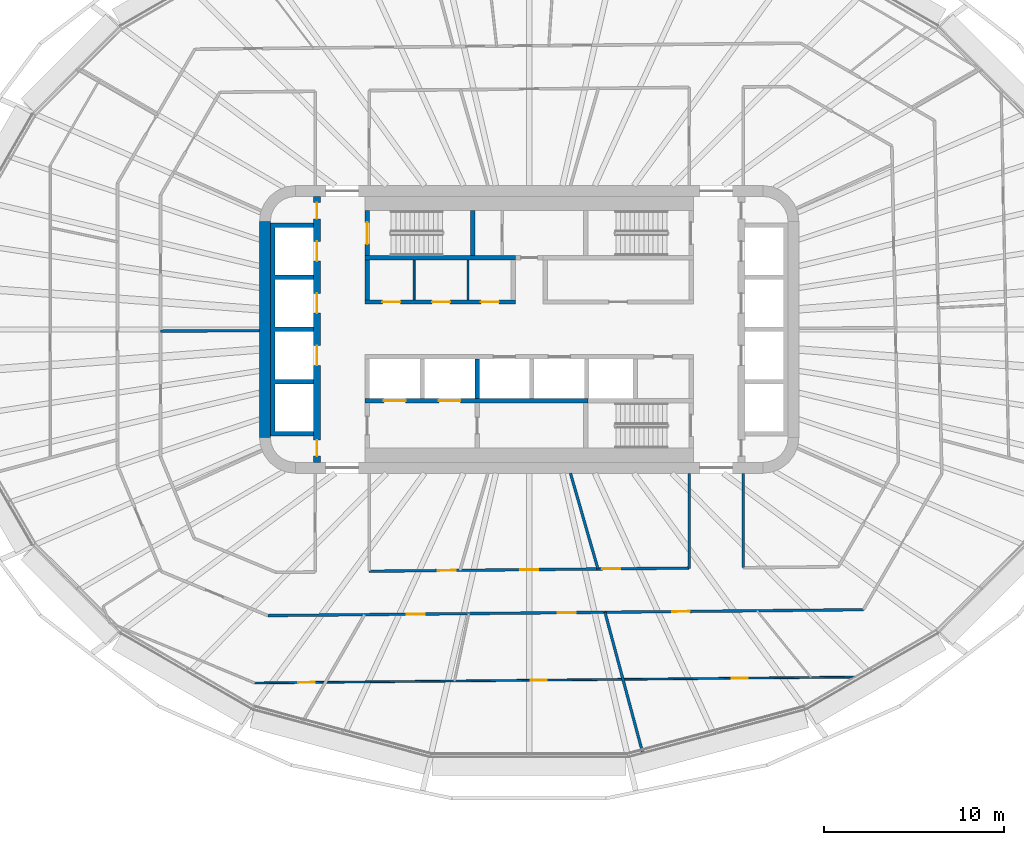
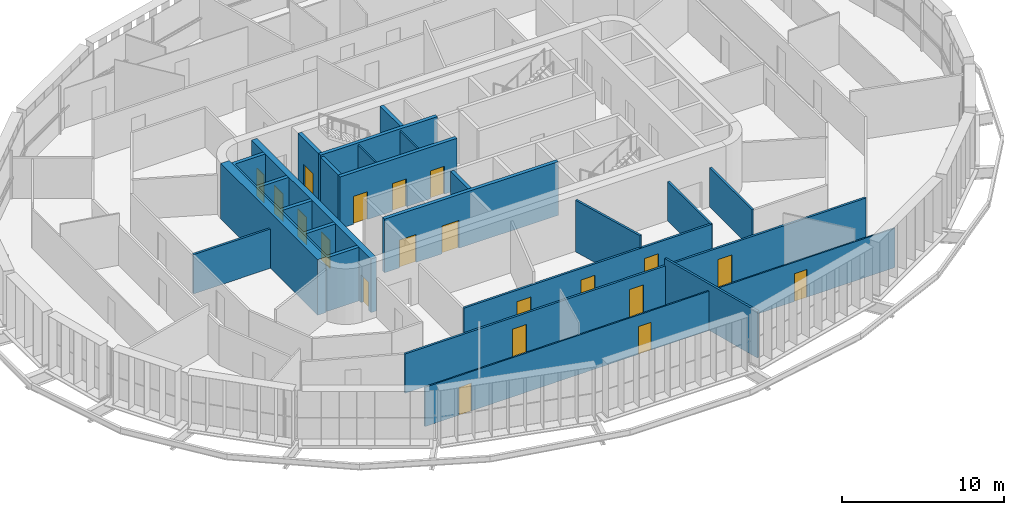
# One storey, part 15 of 26: 20 doors, 20 walls, 20 openings.
"""IFC4 building model written with IfcOpenShell, lengths in metres."""

from ifc_helpers import new_model, si_unit, direction, frame, frame_2d, origin, place, context, subcontext, project, spatial, polyline, rectangle, outline, extrude, material, layer, layer_set, type_object, element, fill, save


model = new_model("IFC4")

# Units and contexts
model_context = context("Model", 3, precision=1e-05, world=origin(), true_north=direction((0.0, 1.0)))
body_context = subcontext(model_context, "Body", "Model", "MODEL_VIEW")
ifc_project = project(units=[si_unit("LENGTHUNIT", "METRE"), si_unit("AREAUNIT", "SQUARE_METRE"), si_unit("VOLUMEUNIT", "CUBIC_METRE"), si_unit("PLANEANGLEUNIT", "RADIAN"), si_unit("MASSUNIT", "GRAM", prefix="KILO")], contexts=[model_context])

# Site, building, storey
site_placement = place(None, origin())
site = spatial("IfcSite", under=ifc_project, at=site_placement, CompositionType="ELEMENT")
building_placement = place(site_placement, origin())
building = spatial("IfcBuilding", under=site, at=building_placement, Name="Sahrelin Media Tower", CompositionType="ELEMENT")
storey_placement = place(building_placement, frame((0.0, 0.0, 88.199951171875)))
storey = spatial("IfcBuildingStorey", under=building, at=storey_placement, Name="L16", CompositionType="ELEMENT", Elevation=88.199951171875)

# Wall
ifc_material_1 = material(Name="Concrete C60/75", Category="concrete")
ifc_layer_1 = layer(ifc_material_1, 0.60009765625)
ifc_layer_set_1 = layer_set([ifc_layer_1], Name="Core wall 600")
wall_type_1 = type_object("IfcWallType", Name="Core wall 600", PredefinedType="SHEAR", material=ifc_layer_set_1)
wall_1_placement = place(storey_placement, frame((-14.699951171875, -6.0, 0.0), z_axis=(0.0, 0.0, 1.0), x_axis=(0.0, 1.0, 0.0)))
element("IfcWall", 1, at=wall_1_placement, inside=storey, type_object=wall_type_1, Name="Core wall W L16", PredefinedType="SHEAR", context=body_context, shape_type="SweptSolid", body=[
    extrude(rectangle(XDim=12.0, YDim=0.60009765625, at=frame_2d((6.0, 0.0))), origin(), (0.0, 0.0, 1.0), 4.199951171875),
])

# Wall, openings, doors
ifc_material_2 = material(Name="Fire-rated gypsum board partition")
ifc_layer_2 = layer(ifc_material_2, 0.25)
ifc_layer_set_2 = layer_set([ifc_layer_2], Name="Fire-rated lobby wall 250")
wall_type_2 = type_object("IfcWallType", Name="Fire-rated lobby wall 250", PredefinedType="PARTITIONING", material=ifc_layer_set_2)
wall_2_placement = place(storey_placement, frame((-9.125, 1.52490234375, 0.0), z_axis=(0.0, 0.0, 1.0), x_axis=(1.0, 0.0, 0.0)))
wall_2 = element("IfcWall", 2, at=wall_2_placement, inside=storey, type_object=wall_type_2, Name="Core lobby wall", PredefinedType="PARTITIONING", context=body_context, shape_type="SweptSolid", body=[
    extrude(rectangle(XDim=8.35009765625, YDim=0.25, at=frame_2d((4.175048828125, 0.0))), origin(), (0.0, 0.0, 1.0), 3.900146484375),
])
opening_1_placement = place(wall_2_placement, frame((0.96240234375, 0.0, 0.0)))
opening_1 = element("IfcOpeningElement", 3, at=opening_1_placement, cuts=wall_2, Name="Opening L16-D08", PredefinedType="OPENING", context=body_context, shape_type="SweptSolid", body=[
    extrude(rectangle(XDim=1.0, YDim=2.10009765625, at=frame_2d((0.5, 1.050048828125))), frame((0.0, 0.125, 0.0), z_axis=(0.0, -1.0, 0.0), x_axis=(1.0, 0.0, 0.0)), (0.0, 0.0, 1.0), 0.25),
])
opening_2_placement = place(wall_2_placement, frame((3.72509765625, 0.0, 0.0)))
opening_2 = element("IfcOpeningElement", 4, at=opening_2_placement, cuts=wall_2, Name="Opening L16-D09", PredefinedType="OPENING", context=body_context, shape_type="SweptSolid", body=[
    extrude(rectangle(XDim=1.0, YDim=2.10009765625, at=frame_2d((0.5, 1.050048828125))), frame((0.0, 0.125, 0.0), z_axis=(0.0, -1.0, 0.0), x_axis=(1.0, 0.0, 0.0)), (0.0, 0.0, 1.0), 0.25),
])
opening_3_placement = place(wall_2_placement, frame((6.4375, 0.0, 0.0)))
opening_3 = element("IfcOpeningElement", 5, at=opening_3_placement, cuts=wall_2, Name="Opening L16-D10", PredefinedType="OPENING", context=body_context, shape_type="SweptSolid", body=[
    extrude(rectangle(XDim=1.0, YDim=2.10009765625, at=frame_2d((0.5, 1.050048828125))), frame((0.0, 0.125, 0.0), z_axis=(0.0, -1.0, 0.0), x_axis=(1.0, 0.0, 0.0)), (0.0, 0.0, 1.0), 0.25),
])
ifc_material_3 = material(Name="Steel fire door leaf", Category="steel")
door_type_1 = type_object("IfcDoorType", Name="Fire door 1000 x 2100 EI 60", OperationType="NOTDEFINED", PredefinedType="DOOR", material=ifc_material_3)
door_1_placement = place(opening_1_placement, origin())
door_1 = element("IfcDoor", 6, at=door_1_placement, inside=storey, type_object=door_type_1, Name="Core room door", OperationType="SINGLE_SWING_LEFT", OverallHeight=2.10009765625, OverallWidth=1.0, PredefinedType="DOOR", context=body_context, shape_type="SweptSolid", body=[
    extrude(rectangle(XDim=1.0, YDim=2.10009765625, at=frame_2d((0.5, 1.050048828125))), frame((0.0, 0.02490234375, 0.0), z_axis=(0.0, -1.0, 0.0), x_axis=(1.0, 0.0, 0.0)), (0.0, 0.0, 1.0), 0.050048828125),
])
fill(opening_1, door_1)
door_2_placement = place(opening_2_placement, origin())
door_2 = element("IfcDoor", 7, at=door_2_placement, inside=storey, type_object=door_type_1, Name="Core room door", OperationType="SINGLE_SWING_LEFT", OverallHeight=2.10009765625, OverallWidth=1.0, PredefinedType="DOOR", context=body_context, shape_type="SweptSolid", body=[
    extrude(rectangle(XDim=1.0, YDim=2.10009765625, at=frame_2d((0.5, 1.050048828125))), frame((0.0, 0.02490234375, 0.0), z_axis=(0.0, -1.0, 0.0), x_axis=(1.0, 0.0, 0.0)), (0.0, 0.0, 1.0), 0.050048828125),
])
fill(opening_2, door_2)
door_3_placement = place(opening_3_placement, origin())
door_3 = element("IfcDoor", 8, at=door_3_placement, inside=storey, type_object=door_type_1, Name="Core room door", OperationType="SINGLE_SWING_LEFT", OverallHeight=2.10009765625, OverallWidth=1.0, PredefinedType="DOOR", context=body_context, shape_type="SweptSolid", body=[
    extrude(rectangle(XDim=1.0, YDim=2.10009765625, at=frame_2d((0.5, 1.050048828125))), frame((0.0, 0.02490234375, 0.0), z_axis=(0.0, -1.0, 0.0), x_axis=(1.0, 0.0, 0.0)), (0.0, 0.0, 1.0), 0.050048828125),
])
fill(opening_3, door_3)

# Walls
wall_3_placement = place(storey_placement, frame((-9.0, 1.64990234375, 0.0), z_axis=(0.0, 0.0, 1.0), x_axis=(0.0, 1.0, 0.0)))
element("IfcWall", 9, at=wall_3_placement, inside=storey, type_object=wall_type_2, Name="Core lobby wall", PredefinedType="PARTITIONING", context=body_context, shape_type="SweptSolid", body=[
    extrude(rectangle(XDim=2.2001953125, YDim=0.25, at=frame_2d((1.10009765625, 0.0))), origin(), (0.0, 0.0, 1.0), 3.900146484375),
])
ifc_layer_3 = layer(ifc_material_2, 0.10009765625)
ifc_layer_set_3 = layer_set([ifc_layer_3], Name="Fire-rated partition 100")
wall_type_3 = type_object("IfcWallType", Name="Fire-rated partition 100", PredefinedType="PARTITIONING", material=ifc_layer_set_3)
for number, where, z_axis, x_axis, name in (
    (10, (-6.39990234375, 1.64990234375, 0.0), (0.0, 0.0, 1.0), (0.0, 1.0, 0.0), "Core room partition"),
    (11, (-3.39990234375, 1.64990234375, 0.0), (0.0, 0.0, 1.0), (0.0, 1.0, 0.0), "Core room partition"),
):
    element("IfcWall", number, at=place(storey_placement, frame(where, z_axis=z_axis, x_axis=x_axis)), inside=storey, type_object=wall_type_3, Name=name, PredefinedType="PARTITIONING", context=body_context, shape_type="SweptSolid", body=[
        extrude(rectangle(XDim=2.2001953125, YDim=0.10009765625, at=frame_2d((1.10009765625, 0.0))), origin(), (0.0, 0.0, 1.0), 3.900146484375),
    ])
ifc_layer_4 = layer(ifc_material_2, 0.14990234375)
ifc_layer_set_4 = layer_set([ifc_layer_4], Name="Fire-rated partition 150")
wall_type_4 = type_object("IfcWallType", Name="Fire-rated partition 150", PredefinedType="PARTITIONING", material=ifc_layer_set_4)
wall_4_placement = place(storey_placement, frame((4.215087890625, -15.72998046875, 0.0), z_axis=(0.0, 0.0, 1.0), x_axis=(0.258844392232, -0.96591903419, 0.0)))
element("IfcWall", 12, at=wall_4_placement, inside=storey, type_object=wall_type_4, Name="Wall", PredefinedType="PARTITIONING", context=body_context, shape_type="SweptSolid", body=[
    extrude(rectangle(XDim=8.1123046875, YDim=0.14990234375, at=frame_2d((4.05615234375, 0.0))), origin(), (0.0, 0.0, 1.0), 3.501708984375),
])
wall_5_placement = place(storey_placement, frame((2.2958984375, -8.0, 0.0), z_axis=(0.0, 0.0, 1.0), x_axis=(0.275935525478, -0.961176147113, 0.0)))
element("IfcWall", 13, at=wall_5_placement, inside=storey, type_object=wall_type_4, Name="Wall", PredefinedType="PARTITIONING", context=body_context, shape_type="SweptSolid", body=[
    extrude(rectangle(XDim=5.54833984375, YDim=0.14990234375, at=frame_2d((2.774169921875, 0.0))), origin(), (0.0, 0.0, 1.0), 3.900146484375),
])
wall_6_placement = place(storey_placement, frame((-20.5, -0.093994140625, 0.0), z_axis=(0.0, 0.0, 1.0), x_axis=(0.999990148138, 0.004438876723, 0.0)))
element("IfcWall", 14, at=wall_6_placement, inside=storey, type_object=wall_type_4, Name="Wall", PredefinedType="PARTITIONING", context=body_context, shape_type="SweptSolid", body=[
    extrude(rectangle(XDim=5.5, YDim=0.14990234375, at=frame_2d((2.75, 0.0))), origin(), (0.0, 0.0, 1.0), 2.96826171875),
])

# Wall, openings, doors
wall_7_placement = place(storey_placement, frame((-14.533935546875, -15.91552734375, 0.0), z_axis=(0.0, 0.0, 1.0), x_axis=(0.999950930262, 0.009906415532, 0.0)))
wall_7 = element("IfcWall", 15, at=wall_7_placement, inside=storey, type_object=wall_type_4, Name="Wall", PredefinedType="PARTITIONING", context=body_context, shape_type="SweptSolid", body=[
    extrude(rectangle(XDim=33.12255859375, YDim=0.14990234375, at=frame_2d((16.561279296875, 0.0))), origin(), (0.0, 0.0, 1.0), 2.96826171875),
])
opening_4_placement = place(wall_7_placement, frame((22.477294921875, 0.0, 0.0)))
opening_4 = element("IfcOpeningElement", 16, at=opening_4_placement, cuts=wall_7, Name="Opening L16-D35", PredefinedType="OPENING", context=body_context, shape_type="SweptSolid", body=[
    extrude(rectangle(XDim=1.0, YDim=2.10009765625, at=frame_2d((0.5, 1.050048828125))), frame((0.0, 0.074951171875, 0.0), z_axis=(0.0, -1.0, 0.0), x_axis=(1.0, 0.0, 0.0)), (0.0, 0.0, 1.0), 0.14990234375),
])
opening_5_placement = place(wall_7_placement, frame((7.722900390625, 0.0, 0.0)))
opening_5 = element("IfcOpeningElement", 17, at=opening_5_placement, cuts=wall_7, Name="Opening L16-D56", PredefinedType="OPENING", context=body_context, shape_type="SweptSolid", body=[
    extrude(rectangle(XDim=1.0, YDim=2.10009765625, at=frame_2d((0.5, 1.050048828125))), frame((0.0, 0.074951171875, 0.0), z_axis=(0.0, -1.0, 0.0), x_axis=(1.0, 0.0, 0.0)), (0.0, 0.0, 1.0), 0.14990234375),
])
opening_6_placement = place(wall_7_placement, frame((16.111083984375, 0.0, 0.0)))
opening_6 = element("IfcOpeningElement", 18, at=opening_6_placement, cuts=wall_7, Name="Opening L16-D57", PredefinedType="OPENING", context=body_context, shape_type="SweptSolid", body=[
    extrude(rectangle(XDim=1.0, YDim=2.10009765625, at=frame_2d((0.5, 1.050048828125))), frame((0.0, 0.074951171875, 0.0), z_axis=(0.0, -1.0, 0.0), x_axis=(1.0, 0.0, 0.0)), (0.0, 0.0, 1.0), 0.14990234375),
])
door_4_placement = place(opening_4_placement, origin())
door_4 = element("IfcDoor", 19, at=door_4_placement, inside=storey, type_object=door_type_1, Name="Fire door", OperationType="SINGLE_SWING_RIGHT", OverallHeight=2.10009765625, OverallWidth=1.0, PredefinedType="DOOR", context=body_context, shape_type="SweptSolid", body=[
    extrude(rectangle(XDim=1.0, YDim=2.10009765625, at=frame_2d((0.5, 1.050048828125))), frame((0.0, 0.02490234375, 0.0), z_axis=(0.0, -1.0, 0.0), x_axis=(1.0, 0.0, 0.0)), (0.0, 0.0, 1.0), 0.050048828125),
])
fill(opening_4, door_4)
door_5_placement = place(opening_5_placement, origin())
door_5 = element("IfcDoor", 20, at=door_5_placement, inside=storey, type_object=door_type_1, Name="Fire door", OperationType="SINGLE_SWING_LEFT", OverallHeight=2.10009765625, OverallWidth=1.0, PredefinedType="DOOR", context=body_context, shape_type="SweptSolid", body=[
    extrude(rectangle(XDim=1.0, YDim=2.10009765625, at=frame_2d((0.5, 1.050048828125))), frame((0.0, 0.02490234375, 0.0), z_axis=(0.0, -1.0, 0.0), x_axis=(1.0, 0.0, 0.0)), (0.0, 0.0, 1.0), 0.050048828125),
])
fill(opening_5, door_5)
door_6_placement = place(opening_6_placement, origin())
door_6 = element("IfcDoor", 21, at=door_6_placement, inside=storey, type_object=door_type_1, Name="Fire door", OperationType="SINGLE_SWING_RIGHT", OverallHeight=2.10009765625, OverallWidth=1.0, PredefinedType="DOOR", context=body_context, shape_type="SweptSolid", body=[
    extrude(rectangle(XDim=1.0, YDim=2.10009765625, at=frame_2d((0.5, 1.050048828125))), frame((0.0, 0.02490234375, 0.0), z_axis=(0.0, -1.0, 0.0), x_axis=(1.0, 0.0, 0.0)), (0.0, 0.0, 1.0), 0.050048828125),
])
fill(opening_6, door_6)

wall_8_placement = place(storey_placement, frame((-8.89990234375, -13.448974609375, 0.0), z_axis=(0.0, 0.0, 1.0), x_axis=(0.999950834077, 0.009916119672, 0.0)))
wall_8 = element("IfcWall", 22, at=wall_8_placement, inside=storey, type_object=wall_type_4, Name="Wall", PredefinedType="PARTITIONING", context=body_context, shape_type="SweptSolid", body=[
    extrude(rectangle(XDim=17.80078125, YDim=0.14990234375, at=frame_2d((8.900390625, 0.0))), origin(), (0.0, 0.0, 1.0), 2.96826171875),
])
opening_7_placement = place(wall_8_placement, frame((3.81787109375, 0.0, 0.0)))
opening_7 = element("IfcOpeningElement", 23, at=opening_7_placement, cuts=wall_8, Name="Opening L16-D21", PredefinedType="OPENING", context=body_context, shape_type="SweptSolid", body=[
    extrude(rectangle(XDim=1.0, YDim=2.10009765625, at=frame_2d((0.5, 1.050048828125))), frame((0.0, 0.074951171875, 0.0), z_axis=(0.0, -1.0, 0.0), x_axis=(1.0, 0.0, 0.0)), (0.0, 0.0, 1.0), 0.14990234375),
])
opening_8_placement = place(wall_8_placement, frame((8.390869140625, 0.0, 0.0)))
opening_8 = element("IfcOpeningElement", 24, at=opening_8_placement, cuts=wall_8, Name="Opening L16-D22", PredefinedType="OPENING", context=body_context, shape_type="SweptSolid", body=[
    extrude(rectangle(XDim=1.0, YDim=2.10009765625, at=frame_2d((0.5, 1.050048828125))), frame((0.0, 0.074951171875, 0.0), z_axis=(0.0, -1.0, 0.0), x_axis=(1.0, 0.0, 0.0)), (0.0, 0.0, 1.0), 0.14990234375),
])
opening_9_placement = place(wall_8_placement, frame((12.974609375, 0.0, 0.0)))
opening_9 = element("IfcOpeningElement", 25, at=opening_9_placement, cuts=wall_8, Name="Opening L16-D23", PredefinedType="OPENING", context=body_context, shape_type="SweptSolid", body=[
    extrude(rectangle(XDim=1.0, YDim=2.10009765625, at=frame_2d((0.5, 1.050048828125))), frame((0.0, 0.074951171875, 0.0), z_axis=(0.0, -1.0, 0.0), x_axis=(1.0, 0.0, 0.0)), (0.0, 0.0, 1.0), 0.14990234375),
])
door_7_placement = place(opening_7_placement, origin())
door_7 = element("IfcDoor", 26, at=door_7_placement, inside=storey, type_object=door_type_1, Name="Fire door", OperationType="SINGLE_SWING_LEFT", OverallHeight=2.10009765625, OverallWidth=1.0, PredefinedType="DOOR", context=body_context, shape_type="SweptSolid", body=[
    extrude(rectangle(XDim=1.0, YDim=2.10009765625, at=frame_2d((0.5, 1.050048828125))), frame((0.0, 0.02490234375, 0.0), z_axis=(0.0, -1.0, 0.0), x_axis=(1.0, 0.0, 0.0)), (0.0, 0.0, 1.0), 0.050048828125),
])
fill(opening_7, door_7)
door_8_placement = place(opening_8_placement, origin())
door_8 = element("IfcDoor", 27, at=door_8_placement, inside=storey, type_object=door_type_1, Name="Fire door", OperationType="SINGLE_SWING_RIGHT", OverallHeight=2.10009765625, OverallWidth=1.0, PredefinedType="DOOR", context=body_context, shape_type="SweptSolid", body=[
    extrude(rectangle(XDim=1.0, YDim=2.10009765625, at=frame_2d((0.5, 1.050048828125))), frame((0.0, 0.02490234375, 0.0), z_axis=(0.0, -1.0, 0.0), x_axis=(1.0, 0.0, 0.0)), (0.0, 0.0, 1.0), 0.050048828125),
])
fill(opening_8, door_8)
door_9_placement = place(opening_9_placement, origin())
door_9 = element("IfcDoor", 28, at=door_9_placement, inside=storey, type_object=door_type_1, Name="Fire door", OperationType="SINGLE_SWING_LEFT", OverallHeight=2.10009765625, OverallWidth=1.0, PredefinedType="DOOR", context=body_context, shape_type="SweptSolid", body=[
    extrude(rectangle(XDim=1.0, YDim=2.10009765625, at=frame_2d((0.5, 1.050048828125))), frame((0.0, 0.02490234375, 0.0), z_axis=(0.0, -1.0, 0.0), x_axis=(1.0, 0.0, 0.0)), (0.0, 0.0, 1.0), 0.050048828125),
])
fill(opening_9, door_9)

# Walls
wall_9_placement = place(storey_placement, frame((11.89990234375, -13.2529296875, 0.0), z_axis=(0.0, 0.0, 1.0), x_axis=(0.0, 1.0, 0.0)))
element("IfcWall", 29, at=wall_9_placement, inside=storey, type_object=wall_type_4, Name="Wall", PredefinedType="PARTITIONING", context=body_context, shape_type="SweptSolid", body=[
    extrude(rectangle(XDim=5.2529296875, YDim=0.14990234375, at=frame_2d((2.62646484375, 0.0))), origin(), (0.0, 0.0, 1.0), 2.96826171875),
])
wall_10_placement = place(storey_placement, frame((8.89990234375, -13.282958984375, 0.0), z_axis=(0.0, 0.0, 1.0), x_axis=(0.0, 1.0, 0.0)))
element("IfcWall", 30, at=wall_10_placement, inside=storey, type_object=wall_type_4, Name="Wall", PredefinedType="PARTITIONING", context=body_context, shape_type="SweptSolid", body=[
    extrude(rectangle(XDim=5.282958984375, YDim=0.14990234375, at=frame_2d((2.6416015625, 0.0))), origin(), (0.0, 0.0, 1.0), 2.96826171875),
])

# Wall, openings, doors
ifc_layer_5 = layer(ifc_material_1, 0.25)
ifc_layer_set_5 = layer_set([ifc_layer_5], Name="Lift shaft wall 250")
wall_type_5 = type_object("IfcWallType", Name="Lift shaft wall 250", PredefinedType="SOLIDWALL", material=ifc_layer_set_5)
wall_11_placement = place(storey_placement, frame((-9.125, -3.97509765625, 0.0), z_axis=(0.0, 0.0, 1.0), x_axis=(1.0, 0.0, 0.0)))
wall_11 = element("IfcWall", 31, at=wall_11_placement, inside=storey, type_object=wall_type_5, Name="Lift shaft wall", PredefinedType="SOLIDWALL", context=body_context, shape_type="SweptSolid", body=[
    extrude(rectangle(XDim=12.39990234375, YDim=0.25, at=frame_2d((6.199951171875, 0.0))), origin(), (0.0, 0.0, 1.0), 4.050048828125),
])
opening_10_placement = place(wall_11_placement, frame((1.050048828125, 0.0, 0.0)))
opening_10 = element("IfcOpeningElement", 32, at=opening_10_placement, cuts=wall_11, Name="Opening L16-LD-FF1", PredefinedType="OPENING", context=body_context, shape_type="SweptSolid", body=[
    extrude(rectangle(XDim=1.199951171875, YDim=2.10009765625, at=frame_2d((0.60009765625, 1.050048828125))), frame((0.0, 0.125, 0.0), z_axis=(0.0, -1.0, 0.0), x_axis=(1.0, 0.0, 0.0)), (0.0, 0.0, 1.0), 0.25),
])
opening_11_placement = place(wall_11_placement, frame((4.10009765625, 0.0, 0.0)))
opening_11 = element("IfcOpeningElement", 33, at=opening_11_placement, cuts=wall_11, Name="Opening L16-LD-FF2", PredefinedType="OPENING", context=body_context, shape_type="SweptSolid", body=[
    extrude(rectangle(XDim=1.199951171875, YDim=2.10009765625, at=frame_2d((0.60009765625, 1.050048828125))), frame((0.0, 0.125, 0.0), z_axis=(0.0, -1.0, 0.0), x_axis=(1.0, 0.0, 0.0)), (0.0, 0.0, 1.0), 0.25),
])
ifc_material_4 = material(Name="Stainless steel", Category="steel")
door_type_2 = type_object("IfcDoorType", Name="Lift landing door 1200 x 2100 EI 120", OperationType="DOUBLE_DOOR_SLIDING", PredefinedType="DOOR", material=ifc_material_4)
door_10_placement = place(opening_10_placement, origin())
door_10 = element("IfcDoor", 34, at=door_10_placement, inside=storey, type_object=door_type_2, Name="Lift landing door FF1", OperationType="DOUBLE_DOOR_SLIDING", OverallHeight=2.10009765625, OverallWidth=1.199951171875, PredefinedType="DOOR", context=body_context, shape_type="SweptSolid", body=[
    extrude(rectangle(XDim=1.199951171875, YDim=2.10009765625, at=frame_2d((0.60009765625, 1.050048828125))), frame((0.0, 0.02490234375, 0.0), z_axis=(0.0, -1.0, 0.0), x_axis=(1.0, 0.0, 0.0)), (0.0, 0.0, 1.0), 0.050048828125),
])
fill(opening_10, door_10)
door_11_placement = place(opening_11_placement, origin())
door_11 = element("IfcDoor", 35, at=door_11_placement, inside=storey, type_object=door_type_2, Name="Lift landing door FF2", OperationType="DOUBLE_DOOR_SLIDING", OverallHeight=2.10009765625, OverallWidth=1.199951171875, PredefinedType="DOOR", context=body_context, shape_type="SweptSolid", body=[
    extrude(rectangle(XDim=1.199951171875, YDim=2.10009765625, at=frame_2d((0.60009765625, 1.050048828125))), frame((0.0, 0.02490234375, 0.0), z_axis=(0.0, -1.0, 0.0), x_axis=(1.0, 0.0, 0.0)), (0.0, 0.0, 1.0), 0.050048828125),
])
fill(opening_11, door_11)

# Walls
wall_12_placement = place(storey_placement, frame((-2.89990234375, -3.85009765625, 0.0), z_axis=(0.0, 0.0, 1.0), x_axis=(0.0, 1.0, 0.0)))
element("IfcWall", 36, at=wall_12_placement, inside=storey, type_object=wall_type_5, Name="Lift shaft wall", PredefinedType="SOLIDWALL", context=body_context, shape_type="SweptSolid", body=[
    extrude(rectangle(XDim=2.2001953125, YDim=0.25, at=frame_2d((1.10009765625, 0.0))), origin(), (0.0, 0.0, 1.0), 4.050048828125),
])
wall_13_placement = place(storey_placement, origin())
element("IfcWall", 37, at=wall_13_placement, inside=storey, type_object=wall_type_5, Name="Lift shaft wall", PredefinedType="SOLIDWALL", context=body_context, shape_type="SweptSolid", body=[
    extrude(outline(polyline([(-12.0, -5.925048828125), (-12.0, -5.675048828125), (-14.14990234375, -5.675048828125), (-14.14990234375, -3.02490234375), (-12.0, -3.02490234375), (-12.0, -2.77490234375), (-14.14990234375, -2.77490234375), (-14.14990234375, -0.125), (-12.0, -0.125), (-12.0, 0.125), (-14.14990234375, 0.125), (-14.14990234375, 2.77490234375), (-12.0, 2.77490234375), (-12.0, 3.02490234375), (-14.14990234375, 3.02490234375), (-14.14990234375, 5.675048828125), (-12.0, 5.675048828125), (-12.0, 5.925048828125), (-14.14990234375, 5.925048828125), (-14.39990234375, 5.925048828125), (-14.39990234375, 5.675048828125), (-14.39990234375, 3.02490234375), (-14.39990234375, 2.77490234375), (-14.39990234375, 0.125), (-14.39990234375, -0.125), (-14.39990234375, -2.77490234375), (-14.39990234375, -3.02490234375), (-14.39990234375, -5.675048828125), (-14.39990234375, -5.925048828125), (-14.14990234375, -5.925048828125), (-12.0, -5.925048828125)])), origin(), (0.0, 0.0, 1.0), 4.050048828125),
])

# Wall, openings, doors
ifc_layer_6 = layer(ifc_material_1, 0.39990234375)
ifc_layer_set_6 = layer_set([ifc_layer_6], Name="Lift shaft wall 400")
wall_type_6 = type_object("IfcWallType", Name="Lift shaft wall 400", PredefinedType="SOLIDWALL", material=ifc_layer_set_6)
wall_14_placement = place(storey_placement, frame((-11.800048828125, -7.39990234375, 0.0), z_axis=(0.0, 0.0, 1.0), x_axis=(0.0, 1.0, 0.0)))
wall_14 = element("IfcWall", 38, at=wall_14_placement, inside=storey, type_object=wall_type_6, Name="Lift shaft wall", PredefinedType="SOLIDWALL", context=body_context, shape_type="SweptSolid", body=[
    extrude(rectangle(XDim=14.7998046875, YDim=0.39990234375, at=frame_2d((7.39990234375, 0.0))), origin(), (0.0, 0.0, 1.0), 4.050048828125),
])
opening_12_placement = place(wall_14_placement, frame((11.199951171875, 0.0, 0.0)))
opening_12 = element("IfcOpeningElement", 39, at=opening_12_placement, cuts=wall_14, Name="Opening L16-LD-LR1", PredefinedType="OPENING", context=body_context, shape_type="SweptSolid", body=[
    extrude(rectangle(XDim=1.10009765625, YDim=2.10009765625, at=frame_2d((0.550048828125, 1.050048828125))), frame((0.0, 0.199951171875, 0.0), z_axis=(0.0, -1.0, 0.0), x_axis=(1.0, 0.0, 0.0)), (0.0, 0.0, 1.0), 0.39990234375),
])
opening_13_placement = place(wall_14_placement, frame((8.300048828125, 0.0, 0.0)))
opening_13 = element("IfcOpeningElement", 40, at=opening_13_placement, cuts=wall_14, Name="Opening L16-LD-LR2", PredefinedType="OPENING", context=body_context, shape_type="SweptSolid", body=[
    extrude(rectangle(XDim=1.10009765625, YDim=2.10009765625, at=frame_2d((0.550048828125, 1.050048828125))), frame((0.0, 0.199951171875, 0.0), z_axis=(0.0, -1.0, 0.0), x_axis=(1.0, 0.0, 0.0)), (0.0, 0.0, 1.0), 0.39990234375),
])
opening_14_placement = place(wall_14_placement, frame((5.39990234375, 0.0, 0.0)))
opening_14 = element("IfcOpeningElement", 41, at=opening_14_placement, cuts=wall_14, Name="Opening L16-LD-LR3", PredefinedType="OPENING", context=body_context, shape_type="SweptSolid", body=[
    extrude(rectangle(XDim=1.10009765625, YDim=2.10009765625, at=frame_2d((0.550048828125, 1.050048828125))), frame((0.0, 0.199951171875, 0.0), z_axis=(0.0, -1.0, 0.0), x_axis=(1.0, 0.0, 0.0)), (0.0, 0.0, 1.0), 0.39990234375),
])
opening_15_placement = place(wall_14_placement, frame((13.552490234375, 0.0, 0.0)))
opening_15 = element("IfcOpeningElement", 42, at=opening_15_placement, cuts=wall_14, Name="Opening L16-D13", PredefinedType="OPENING", context=body_context, shape_type="SweptSolid", body=[
    extrude(rectangle(XDim=0.89990234375, YDim=2.10009765625, at=frame_2d((0.449951171875, 1.050048828125))), frame((0.0, 0.199951171875, 0.0), z_axis=(0.0, -1.0, 0.0), x_axis=(1.0, 0.0, 0.0)), (0.0, 0.0, 1.0), 0.39990234375),
])
opening_16_placement = place(wall_14_placement, frame((0.347412109375, 0.0, 0.0)))
opening_16 = element("IfcOpeningElement", 43, at=opening_16_placement, cuts=wall_14, Name="Opening L16-D14", PredefinedType="OPENING", context=body_context, shape_type="SweptSolid", body=[
    extrude(rectangle(XDim=0.89990234375, YDim=2.10009765625, at=frame_2d((0.449951171875, 1.050048828125))), frame((0.0, 0.199951171875, 0.0), z_axis=(0.0, -1.0, 0.0), x_axis=(1.0, 0.0, 0.0)), (0.0, 0.0, 1.0), 0.39990234375),
])
door_type_3 = type_object("IfcDoorType", Name="Lift landing door 1100 x 2100 EI 120", OperationType="DOUBLE_DOOR_SLIDING", PredefinedType="DOOR", material=ifc_material_4)
door_12_placement = place(opening_12_placement, origin())
door_12 = element("IfcDoor", 44, at=door_12_placement, inside=storey, type_object=door_type_3, Name="Lift landing door LR1", OperationType="DOUBLE_DOOR_SLIDING", OverallHeight=2.10009765625, OverallWidth=1.10009765625, PredefinedType="DOOR", context=body_context, shape_type="SweptSolid", body=[
    extrude(rectangle(XDim=1.10009765625, YDim=2.10009765625, at=frame_2d((0.550048828125, 1.050048828125))), frame((0.0, 0.02490234375, 0.0), z_axis=(0.0, -1.0, 0.0), x_axis=(1.0, 0.0, 0.0)), (0.0, 0.0, 1.0), 0.050048828125),
])
fill(opening_12, door_12)
door_13_placement = place(opening_13_placement, origin())
door_13 = element("IfcDoor", 45, at=door_13_placement, inside=storey, type_object=door_type_3, Name="Lift landing door LR2", OperationType="DOUBLE_DOOR_SLIDING", OverallHeight=2.10009765625, OverallWidth=1.10009765625, PredefinedType="DOOR", context=body_context, shape_type="SweptSolid", body=[
    extrude(rectangle(XDim=1.10009765625, YDim=2.10009765625, at=frame_2d((0.550048828125, 1.050048828125))), frame((0.0, 0.02490234375, 0.0), z_axis=(0.0, -1.0, 0.0), x_axis=(1.0, 0.0, 0.0)), (0.0, 0.0, 1.0), 0.050048828125),
])
fill(opening_13, door_13)
door_14_placement = place(opening_14_placement, origin())
door_14 = element("IfcDoor", 46, at=door_14_placement, inside=storey, type_object=door_type_3, Name="Lift landing door LR3", OperationType="DOUBLE_DOOR_SLIDING", OverallHeight=2.10009765625, OverallWidth=1.10009765625, PredefinedType="DOOR", context=body_context, shape_type="SweptSolid", body=[
    extrude(rectangle(XDim=1.10009765625, YDim=2.10009765625, at=frame_2d((0.550048828125, 1.050048828125))), frame((0.0, 0.02490234375, 0.0), z_axis=(0.0, -1.0, 0.0), x_axis=(1.0, 0.0, 0.0)), (0.0, 0.0, 1.0), 0.050048828125),
])
fill(opening_14, door_14)
door_type_4 = type_object("IfcDoorType", Name="Riser door 900 x 2100 EI 120", OperationType="NOTDEFINED", PredefinedType="DOOR", material=ifc_material_3)
door_15_placement = place(opening_15_placement, origin())
door_15 = element("IfcDoor", 47, at=door_15_placement, inside=storey, type_object=door_type_4, Name="Riser door", OperationType="SINGLE_SWING_LEFT", OverallHeight=2.10009765625, OverallWidth=0.89990234375, PredefinedType="DOOR", context=body_context, shape_type="SweptSolid", body=[
    extrude(rectangle(XDim=0.89990234375, YDim=2.10009765625, at=frame_2d((0.449951171875, 1.050048828125))), frame((0.0, 0.02490234375, 0.0), z_axis=(0.0, -1.0, 0.0), x_axis=(1.0, 0.0, 0.0)), (0.0, 0.0, 1.0), 0.050048828125),
])
fill(opening_15, door_15)
door_16_placement = place(opening_16_placement, origin())
door_16 = element("IfcDoor", 48, at=door_16_placement, inside=storey, type_object=door_type_4, Name="Riser door", OperationType="SINGLE_SWING_LEFT", OverallHeight=2.10009765625, OverallWidth=0.89990234375, PredefinedType="DOOR", context=body_context, shape_type="SweptSolid", body=[
    extrude(rectangle(XDim=0.89990234375, YDim=2.10009765625, at=frame_2d((0.449951171875, 1.050048828125))), frame((0.0, 0.02490234375, 0.0), z_axis=(0.0, -1.0, 0.0), x_axis=(1.0, 0.0, 0.0)), (0.0, 0.0, 1.0), 0.050048828125),
])
fill(opening_16, door_16)

ifc_material_5 = material(Name="Gypsum board partition")
ifc_layer_7 = layer(ifc_material_5, 0.10009765625)
ifc_layer_set_7 = layer_set([ifc_layer_7], Name="Partition 100")
wall_type_7 = type_object("IfcWallType", Name="Partition 100", PredefinedType="PARTITIONING", material=ifc_layer_set_7)
wall_15_placement = place(storey_placement, frame((-15.260009765625, -19.6630859375, 0.0), z_axis=(0.0, 0.0, 1.0), x_axis=(0.999951032014, 0.009896139397, 0.0)))
wall_15 = element("IfcWall", 49, at=wall_15_placement, inside=storey, type_object=wall_type_7, Name="Wall", PredefinedType="PARTITIONING", context=body_context, shape_type="SweptSolid", body=[
    extrude(rectangle(XDim=33.773681640625, YDim=0.10009765625, at=frame_2d((16.88671875, 0.0))), origin(), (0.0, 0.0, 1.0), 2.96826171875),
])
opening_17_placement = place(wall_15_placement, frame((26.522705078125, 0.0, 0.0)))
opening_17 = element("IfcOpeningElement", 50, at=opening_17_placement, cuts=wall_15, Name="Opening L16-D37", PredefinedType="OPENING", context=body_context, shape_type="SweptSolid", body=[
    extrude(rectangle(XDim=0.89990234375, YDim=2.10009765625, at=frame_2d((0.449951171875, 1.050048828125))), frame((0.0, 0.050048828125, 0.0), z_axis=(0.0, -1.0, 0.0), x_axis=(1.0, 0.0, 0.0)), (0.0, 0.0, 1.0), 0.10009765625),
])
opening_18_placement = place(wall_15_placement, frame((2.4296875, 0.0, 0.0)))
opening_18 = element("IfcOpeningElement", 51, at=opening_18_placement, cuts=wall_15, Name="Opening L16-D55", PredefinedType="OPENING", context=body_context, shape_type="SweptSolid", body=[
    extrude(rectangle(XDim=0.89990234375, YDim=2.10009765625, at=frame_2d((0.449951171875, 1.050048828125))), frame((0.0, 0.050048828125, 0.0), z_axis=(0.0, -1.0, 0.0), x_axis=(1.0, 0.0, 0.0)), (0.0, 0.0, 1.0), 0.10009765625),
])
opening_19_placement = place(wall_15_placement, frame((15.339599609375, 0.0, 0.0)))
opening_19 = element("IfcOpeningElement", 52, at=opening_19_placement, cuts=wall_15, Name="Opening L16-D58", PredefinedType="OPENING", context=body_context, shape_type="SweptSolid", body=[
    extrude(rectangle(XDim=0.89990234375, YDim=2.10009765625, at=frame_2d((0.449951171875, 1.050048828125))), frame((0.0, 0.050048828125, 0.0), z_axis=(0.0, -1.0, 0.0), x_axis=(1.0, 0.0, 0.0)), (0.0, 0.0, 1.0), 0.10009765625),
])
ifc_material_6 = material(Name="Timber door leaf", Category="wood")
door_type_5 = type_object("IfcDoorType", Name="Single door 900 x 2100", OperationType="NOTDEFINED", PredefinedType="DOOR", material=ifc_material_6)
door_17_placement = place(opening_17_placement, origin())
door_17 = element("IfcDoor", 53, at=door_17_placement, inside=storey, type_object=door_type_5, Name="Single door", OperationType="SINGLE_SWING_LEFT", OverallHeight=2.10009765625, OverallWidth=0.89990234375, PredefinedType="DOOR", context=body_context, shape_type="SweptSolid", body=[
    extrude(rectangle(XDim=0.89990234375, YDim=2.10009765625, at=frame_2d((0.449951171875, 1.050048828125))), frame((0.0, 0.02490234375, 0.0), z_axis=(0.0, -1.0, 0.0), x_axis=(1.0, 0.0, 0.0)), (0.0, 0.0, 1.0), 0.050048828125),
])
fill(opening_17, door_17)
door_18_placement = place(opening_18_placement, origin())
door_18 = element("IfcDoor", 54, at=door_18_placement, inside=storey, type_object=door_type_5, Name="Single door", OperationType="SINGLE_SWING_LEFT", OverallHeight=2.10009765625, OverallWidth=0.89990234375, PredefinedType="DOOR", context=body_context, shape_type="SweptSolid", body=[
    extrude(rectangle(XDim=0.89990234375, YDim=2.10009765625, at=frame_2d((0.449951171875, 1.050048828125))), frame((0.0, 0.02490234375, 0.0), z_axis=(0.0, -1.0, 0.0), x_axis=(1.0, 0.0, 0.0)), (0.0, 0.0, 1.0), 0.050048828125),
])
fill(opening_18, door_18)
door_19_placement = place(opening_19_placement, origin())
door_19 = element("IfcDoor", 55, at=door_19_placement, inside=storey, type_object=door_type_5, Name="Single door", OperationType="SINGLE_SWING_LEFT", OverallHeight=2.10009765625, OverallWidth=0.89990234375, PredefinedType="DOOR", context=body_context, shape_type="SweptSolid", body=[
    extrude(rectangle(XDim=0.89990234375, YDim=2.10009765625, at=frame_2d((0.449951171875, 1.050048828125))), frame((0.0, 0.02490234375, 0.0), z_axis=(0.0, -1.0, 0.0), x_axis=(1.0, 0.0, 0.0)), (0.0, 0.0, 1.0), 0.050048828125),
])
fill(opening_19, door_19)

# Wall, opening, door
ifc_layer_8 = layer(ifc_material_1, 0.25)
ifc_layer_set_8 = layer_set([ifc_layer_8], Name="Stair enclosure wall 250")
wall_type_8 = type_object("IfcWallType", Name="Stair enclosure wall 250", PredefinedType="SOLIDWALL", material=ifc_layer_set_8)
wall_16_placement = place(storey_placement, frame((-9.0, 4.10009765625, 0.0), z_axis=(0.0, 0.0, 1.0), x_axis=(0.0, 1.0, 0.0)))
wall_16 = element("IfcWall", 56, at=wall_16_placement, inside=storey, type_object=wall_type_8, Name="Stair enclosure wall", PredefinedType="SOLIDWALL", context=body_context, shape_type="SweptSolid", body=[
    extrude(rectangle(XDim=2.5, YDim=0.25, at=frame_2d((1.25, 0.0))), origin(), (0.0, 0.0, 1.0), 4.050048828125),
])
opening_20_placement = place(wall_16_placement, frame((0.64990234375, 0.0, 0.0)))
opening_20 = element("IfcOpeningElement", 57, at=opening_20_placement, cuts=wall_16, Name="Opening L16-D01", PredefinedType="OPENING", context=body_context, shape_type="SweptSolid", body=[
    extrude(rectangle(XDim=1.199951171875, YDim=2.10009765625, at=frame_2d((0.60009765625, 1.050048828125))), frame((0.0, 0.125, 0.0), z_axis=(0.0, -1.0, 0.0), x_axis=(1.0, 0.0, 0.0)), (0.0, 0.0, 1.0), 0.25),
])
door_type_6 = type_object("IfcDoorType", Name="Stair door 1200 x 2100 EI 120", OperationType="NOTDEFINED", PredefinedType="DOOR", material=ifc_material_3)
door_20_placement = place(opening_20_placement, origin())
door_20 = element("IfcDoor", 58, at=door_20_placement, inside=storey, type_object=door_type_6, Name="Stair door ST1", OperationType="SINGLE_SWING_RIGHT", OverallHeight=2.10009765625, OverallWidth=1.199951171875, PredefinedType="DOOR", context=body_context, shape_type="SweptSolid", body=[
    extrude(rectangle(XDim=1.199951171875, YDim=2.10009765625, at=frame_2d((0.60009765625, 1.050048828125))), frame((0.0, 0.02490234375, 0.0), z_axis=(0.0, -1.0, 0.0), x_axis=(1.0, 0.0, 0.0)), (0.0, 0.0, 1.0), 0.050048828125),
])
fill(opening_20, door_20)

# Walls
wall_17_placement = place(storey_placement, frame((-3.14990234375, 4.10009765625, 0.0), z_axis=(0.0, 0.0, 1.0), x_axis=(0.0, 1.0, 0.0)))
element("IfcWall", 59, at=wall_17_placement, inside=storey, type_object=wall_type_8, Name="Stair enclosure wall", PredefinedType="SOLIDWALL", context=body_context, shape_type="SweptSolid", body=[
    extrude(rectangle(XDim=2.5, YDim=0.25, at=frame_2d((1.25, 0.0))), origin(), (0.0, 0.0, 1.0), 4.050048828125),
])
wall_18_placement = place(storey_placement, frame((-9.125, 3.97509765625, 0.0), z_axis=(0.0, 0.0, 1.0), x_axis=(1.0, 0.0, 0.0)))
element("IfcWall", 60, at=wall_18_placement, inside=storey, type_object=wall_type_8, Name="Stair enclosure wall", PredefinedType="SOLIDWALL", context=body_context, shape_type="SweptSolid", body=[
    extrude(rectangle(XDim=8.35009765625, YDim=0.25, at=frame_2d((4.175048828125, 0.0))), origin(), (0.0, 0.0, 1.0), 4.050048828125),
])

save(model, "model.ifc")
